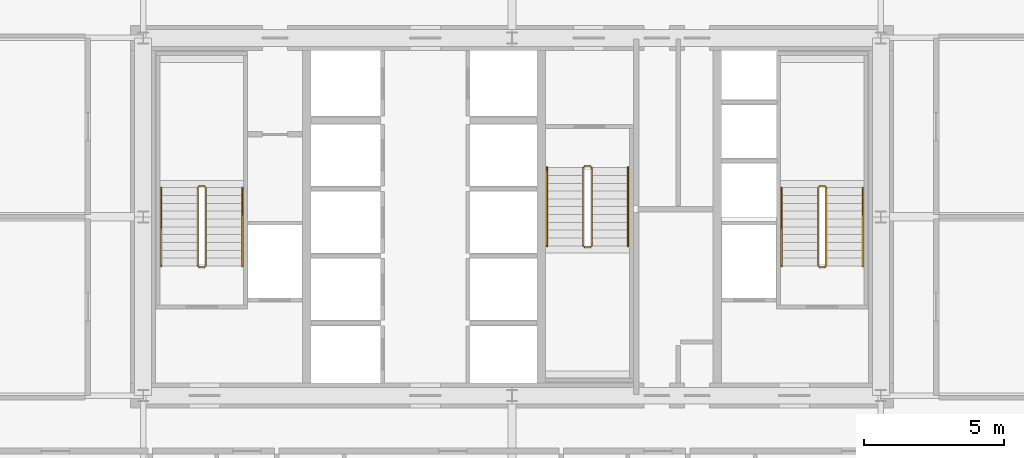
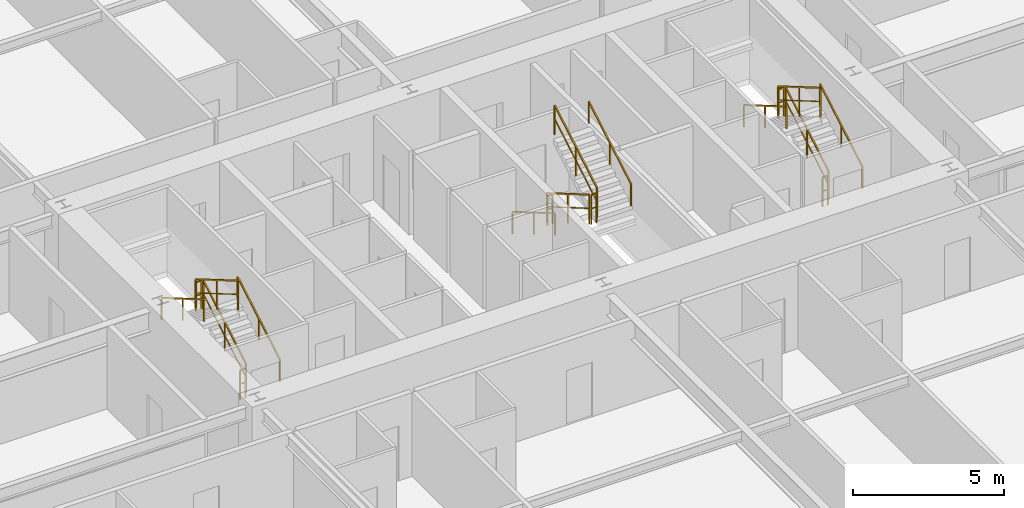
# One storey, part 43 of 43: 18 railings.
"""IFC4 building model written with IfcOpenShell, lengths in metres."""

from ifc_helpers import new_model, si_unit, direction, frame, origin, origin_2d, place, context, subcontext, project, spatial, rectangle, extrude, source, transform, mapped, material, layer, layer_set, type_object, element, save


model = new_model("IFC4")

# Units and contexts
model_context = context("Model", 3, precision=1e-05, world=origin(), true_north=direction((0.0, 1.0)))
body_context = subcontext(model_context, "Body", "Model", "MODEL_VIEW")
ifc_project = project(units=[si_unit("LENGTHUNIT", "METRE"), si_unit("AREAUNIT", "SQUARE_METRE"), si_unit("VOLUMEUNIT", "CUBIC_METRE"), si_unit("PLANEANGLEUNIT", "RADIAN"), si_unit("MASSUNIT", "GRAM", prefix="KILO"), si_unit("THERMODYNAMICTEMPERATUREUNIT", "KELVIN"), si_unit("POWERUNIT", "WATT")], contexts=[model_context])

# Site, building, storey
site_placement = place(None, origin())
site = spatial("IfcSite", under=ifc_project, at=site_placement, CompositionType="ELEMENT")
building_placement = place(site_placement, origin())
building = spatial("IfcBuilding", under=site, at=building_placement, Name="Yuzanri Waterfront Tower", CompositionType="ELEMENT")
storey_placement = place(building_placement, frame((0.0, 0.0, 67.60009765625)))
storey = spatial("IfcBuildingStorey", under=building, at=storey_placement, Name="L17", CompositionType="ELEMENT", Elevation=67.60009765625)

# Railings
ifc_material_1 = material(Name="Painted Galvanized Fire Steel", Category="steel")
ifc_layer_1 = layer(ifc_material_1, 0.06005859375)
ifc_layer_set_1 = layer_set([ifc_layer_1], Name="Painted Galvanized Fire Steel")
railing_type_1 = type_object("IfcRailingType", Name="Painted Steel Stairwell Guardrail 1120", PredefinedType="GUARDRAIL", material=ifc_layer_set_1)
shared_shape_1 = source(origin(), body_context, "Body", "SweptSolid", [
    extrude(rectangle(XDim=0.050048828125, YDim=0.050048828125, at=origin_2d()), frame((0.0, 0.0, 1.1748046875), z_axis=(-1.0, 0.0, 0.0), x_axis=(0.0, -1.0, 0.0)), (0.0, 0.0, 1.0), 0.199951171875),
    extrude(rectangle(XDim=0.035888671875, YDim=0.030029296875, at=origin_2d()), frame((0.0, 0.0, 0.6240234375), z_axis=(-1.0, 0.0, 0.0), x_axis=(0.0, -1.0, 0.0)), (0.0, 0.0, 1.0), 0.199951171875),
    extrude(rectangle(XDim=0.0458984375, YDim=0.0458984375, at=origin_2d()), origin(), (0.0, 0.0, 1.0), 1.14990234375),
    extrude(rectangle(XDim=0.0458984375, YDim=0.0458984375, at=origin_2d()), frame((-0.199951171875, 0.0, 0.0)), (0.0, 0.0, 1.0), 1.14990234375),
])
for number, where, name in (
    (1, (26.0, 26.889892578125, 1.7998046875), "L17 ST-01 stair guard 2"),
    (2, (26.0, 23.989990234375, 0.0), "L17 ST-01 stair guard 4"),
    (3, (48.199951171875, 26.889892578125, 1.7998046875), "L17 ST-02 stair guard 2"),
    (4, (48.199951171875, 23.989990234375, 0.0), "L17 ST-02 stair guard 4"),
):
    element("IfcRailing", number, at=place(storey_placement, frame(where)), inside=storey, type_object=railing_type_1, Name=name, PredefinedType="GUARDRAIL", context=body_context, shape_type="MappedRepresentation", body=[
        mapped(shared_shape_1, transform((0.0, 0.0, 0.0), scale=1.0)),
    ])
shared_shape_2 = source(origin(), body_context, "Body", "SweptSolid", [
    extrude(rectangle(XDim=0.050048828125, YDim=0.050048828125, at=origin_2d()), frame((0.0, 0.0, 1.1748046875), z_axis=(0.0, 0.863393664356, 0.504530851732), x_axis=(-1.0, 0.0, 0.0)), (0.0, 0.0, 1.0), 3.2431640625),
    extrude(rectangle(XDim=0.035888671875, YDim=0.030029296875, at=origin_2d()), frame((0.0, 0.0, 0.6240234375), z_axis=(0.0, 0.863393664356, 0.504530851732), x_axis=(-1.0, 0.0, 0.0)), (0.0, 0.0, 1.0), 3.2431640625),
    extrude(rectangle(XDim=0.0458984375, YDim=0.0458984375, at=origin_2d()), origin(), (0.0, 0.0, 1.0), 1.14990234375),
    extrude(rectangle(XDim=0.0458984375, YDim=0.0458984375, at=origin_2d()), frame((0.0, 1.39990234375, 0.818115234375)), (0.0, 0.0, 1.0), 1.14990234375),
    extrude(rectangle(XDim=0.0458984375, YDim=0.0458984375, at=origin_2d()), frame((0.0, 2.800048828125, 1.63623046875)), (0.0, 0.0, 1.0), 1.14990234375),
])
for number, where, name in (
    (5, (26.050048828125, 24.0400390625, 0.16357421875), "L17 ST-01 stair guard 1"),
    (6, (48.25, 24.0400390625, 0.16357421875), "L17 ST-02 stair guard 1"),
    (7, (39.85009765625, 24.760009765625, 1.963623046875), "L17 ST-03 stair guard 3"),
):
    element("IfcRailing", number, at=place(storey_placement, frame(where)), inside=storey, type_object=railing_type_1, Name=name, PredefinedType="GUARDRAIL", context=body_context, shape_type="MappedRepresentation", body=[
        mapped(shared_shape_2, transform((0.0, 0.0, 0.0), scale=1.0)),
    ])
shared_shape_3 = source(origin(), body_context, "Body", "SweptSolid", [
    extrude(rectangle(XDim=0.050048828125, YDim=0.050048828125, at=origin_2d()), frame((0.0, 0.0, 1.1748046875), z_axis=(0.0, -0.863393664356, 0.504530851732), x_axis=(1.0, 0.0, 0.0)), (0.0, 0.0, 1.0), 3.2431640625),
    extrude(rectangle(XDim=0.035888671875, YDim=0.030029296875, at=origin_2d()), frame((0.0, 0.0, 0.6240234375), z_axis=(0.0, -0.863393664356, 0.504530851732), x_axis=(1.0, 0.0, 0.0)), (0.0, 0.0, 1.0), 3.2431640625),
    extrude(rectangle(XDim=0.0458984375, YDim=0.0458984375, at=origin_2d()), origin(), (0.0, 0.0, 1.0), 1.14990234375),
    extrude(rectangle(XDim=0.0458984375, YDim=0.0458984375, at=origin_2d()), frame((0.0, -1.39990234375, 0.818115234375)), (0.0, 0.0, 1.0), 1.14990234375),
    extrude(rectangle(XDim=0.0458984375, YDim=0.0458984375, at=origin_2d()), frame((0.0, -2.800048828125, 1.63623046875)), (0.0, 0.0, 1.0), 1.14990234375),
])
for number, where, name in (
    (8, (25.75, 26.840087890625, 1.963623046875), "L17 ST-01 stair guard 3"),
    (9, (47.949951171875, 26.840087890625, 1.963623046875), "L17 ST-02 stair guard 3"),
    (10, (39.550048828125, 27.56005859375, 0.16357421875), "L17 ST-03 stair guard 1"),
):
    element("IfcRailing", number, at=place(storey_placement, frame(where)), inside=storey, type_object=railing_type_1, Name=name, PredefinedType="GUARDRAIL", context=body_context, shape_type="MappedRepresentation", body=[
        mapped(shared_shape_3, transform((0.0, 0.0, 0.0), scale=1.0)),
    ])
ifc_material_2 = material(Name="Anodized Architectural Bronze", Category="metal")
ifc_layer_2 = layer(ifc_material_2, 0.050048828125)
ifc_layer_set_2 = layer_set([ifc_layer_2], Name="Anodized Architectural Bronze")
railing_type_2 = type_object("IfcRailingType", Name="Brushed Bronze Stair Pitch Handrail 920", PredefinedType="HANDRAIL", material=ifc_layer_set_2)
shared_shape_4 = source(origin(), body_context, "Body", "SweptSolid", [
    extrude(rectangle(XDim=0.050048828125, YDim=0.050048828125, at=origin_2d()), frame((0.0, 0.0, 0.875), z_axis=(0.0, 0.863393664356, 0.504530851732), x_axis=(-1.0, 0.0, 0.0)), (0.0, 0.0, 1.0), 3.2431640625),
    extrude(rectangle(XDim=0.0458984375, YDim=0.0458984375, at=origin_2d()), origin(), (0.0, 0.0, 1.0), 0.849853515625),
    extrude(rectangle(XDim=0.0458984375, YDim=0.0458984375, at=origin_2d()), frame((0.0, 1.39990234375, 0.818115234375)), (0.0, 0.0, 1.0), 0.849853515625),
    extrude(rectangle(XDim=0.0458984375, YDim=0.0458984375, at=origin_2d()), frame((0.0, 2.800048828125, 1.63623046875)), (0.0, 0.0, 1.0), 0.849853515625),
])
for number, where, name in (
    (11, (27.35009765625, 24.0400390625, 0.16357421875), "L17 ST-01 stair handrail 1"),
    (12, (49.550048828125, 24.0400390625, 0.16357421875), "L17 ST-02 stair handrail 1"),
    (13, (41.14990234375, 24.760009765625, 1.963623046875), "L17 ST-03 stair handrail 2"),
):
    element("IfcRailing", number, at=place(storey_placement, frame(where)), inside=storey, type_object=railing_type_2, Name=name, PredefinedType="HANDRAIL", context=body_context, shape_type="MappedRepresentation", body=[
        mapped(shared_shape_4, transform((0.0, 0.0, 0.0), scale=1.0)),
    ])
shared_shape_5 = source(origin(), body_context, "Body", "SweptSolid", [
    extrude(rectangle(XDim=0.050048828125, YDim=0.050048828125, at=origin_2d()), frame((0.0, 0.0, 0.875), z_axis=(0.0, -0.863393664356, 0.504530851732), x_axis=(1.0, 0.0, 0.0)), (0.0, 0.0, 1.0), 3.2431640625),
    extrude(rectangle(XDim=0.0458984375, YDim=0.0458984375, at=origin_2d()), origin(), (0.0, 0.0, 1.0), 0.849853515625),
    extrude(rectangle(XDim=0.0458984375, YDim=0.0458984375, at=origin_2d()), frame((0.0, -1.39990234375, 0.818115234375)), (0.0, 0.0, 1.0), 0.849853515625),
    extrude(rectangle(XDim=0.0458984375, YDim=0.0458984375, at=origin_2d()), frame((0.0, -2.800048828125, 1.63623046875)), (0.0, 0.0, 1.0), 0.849853515625),
])
for number, where, name in (
    (14, (24.449951171875, 26.840087890625, 1.963623046875), "L17 ST-01 stair handrail 2"),
    (15, (46.64990234375, 26.840087890625, 1.963623046875), "L17 ST-02 stair handrail 2"),
    (16, (38.25, 27.56005859375, 0.16357421875), "L17 ST-03 stair handrail 1"),
):
    element("IfcRailing", number, at=place(storey_placement, frame(where)), inside=storey, type_object=railing_type_2, Name=name, PredefinedType="HANDRAIL", context=body_context, shape_type="MappedRepresentation", body=[
        mapped(shared_shape_5, transform((0.0, 0.0, 0.0), scale=1.0)),
    ])
shared_shape_6 = source(origin(), body_context, "Body", "SweptSolid", [
    extrude(rectangle(XDim=0.050048828125, YDim=0.050048828125, at=origin_2d()), frame((0.0, 0.0, 1.1748046875), z_axis=(1.0, 0.0, 0.0), x_axis=(0.0, 1.0, 0.0)), (0.0, 0.0, 1.0), 0.199951171875),
    extrude(rectangle(XDim=0.035888671875, YDim=0.030029296875, at=origin_2d()), frame((0.0, 0.0, 0.6240234375), z_axis=(1.0, 0.0, 0.0), x_axis=(0.0, 1.0, 0.0)), (0.0, 0.0, 1.0), 0.199951171875),
    extrude(rectangle(XDim=0.0458984375, YDim=0.0458984375, at=origin_2d()), origin(), (0.0, 0.0, 1.0), 1.14990234375),
    extrude(rectangle(XDim=0.0458984375, YDim=0.0458984375, at=origin_2d()), frame((0.199951171875, 0.0, 0.0)), (0.0, 0.0, 1.0), 1.14990234375),
])
for number, where, name in (
    (17, (39.60009765625, 24.7099609375, 1.7998046875), "L17 ST-03 stair guard 2"),
    (18, (39.60009765625, 27.610107421875, 0.0), "L17 ST-03 stair guard 4"),
):
    element("IfcRailing", number, at=place(storey_placement, frame(where)), inside=storey, type_object=railing_type_1, Name=name, PredefinedType="GUARDRAIL", context=body_context, shape_type="MappedRepresentation", body=[
        mapped(shared_shape_6, transform((0.0, 0.0, 0.0), scale=1.0)),
    ])

save(model, "model.ifc")
